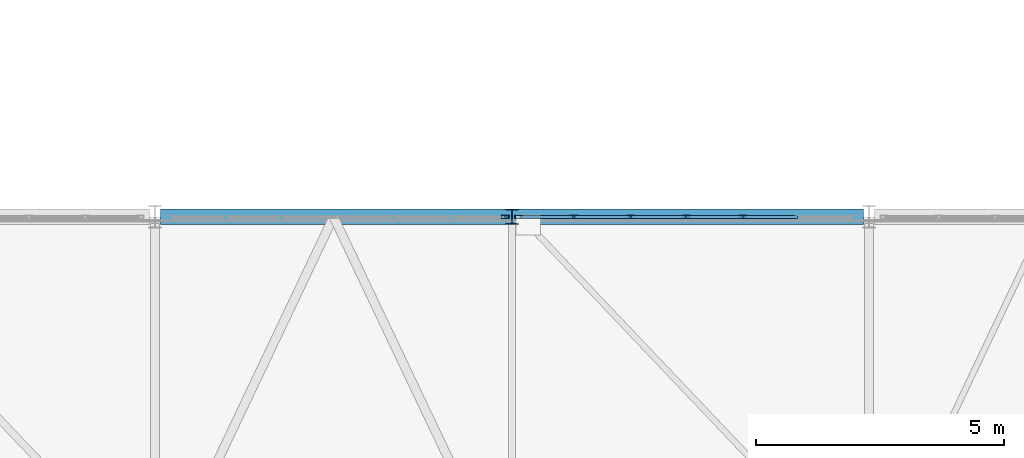
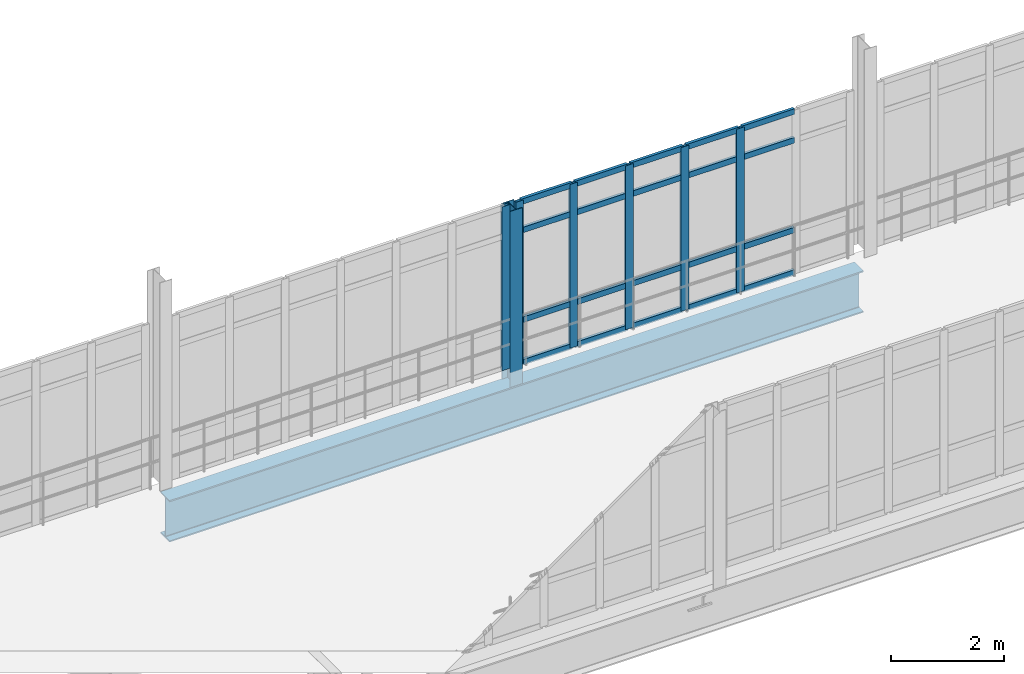
# One storey, part 27 of 124: 27 members, 1 beam, 2 elements without a shape of their own.
"""IFC4 building model written with IfcOpenShell, lengths in metres."""

from ifc_helpers import new_model, si_unit, direction, frame, origin, origin_2d, place, context, subcontext, project, spatial, hollow_rectangle, i_section, extrude, material, material_profile, profile_set, type_object, element, aggregate, save


model = new_model("IFC4")

# Units and contexts
model_context = context("Model", 3, precision=1e-05, world=origin(), true_north=direction((0.0, 1.0)))
body_context = subcontext(model_context, "Body", "Model", "MODEL_VIEW")
ifc_project = project(units=[si_unit("LENGTHUNIT", "METRE"), si_unit("AREAUNIT", "SQUARE_METRE"), si_unit("VOLUMEUNIT", "CUBIC_METRE"), si_unit("PLANEANGLEUNIT", "RADIAN"), si_unit("MASSUNIT", "GRAM", prefix="KILO")], contexts=[model_context])

# Site, building, storey
site_placement = place(None, origin())
site = spatial("IfcSite", under=ifc_project, at=site_placement, CompositionType="ELEMENT")
building_placement = place(site_placement, origin())
building = spatial("IfcBuilding", under=site, at=building_placement, Name="Kalluvel Institute of Natural Sciences", CompositionType="ELEMENT")
storey_placement = place(building_placement, frame((0.0, 0.0, 9.89990234375)))
storey = spatial("IfcBuildingStorey", under=building, at=storey_placement, Name="L02", CompositionType="ELEMENT", Elevation=9.89990234375)

# Beam
ifc_material_1 = material(Name="Steel E350 Grade 350", Category="steel")
ifc_material_profile_1 = material_profile(ifc_material_1, i_section(OverallWidth=0.320068359375, OverallDepth=0.89990234375, WebThickness=0.01611328125, FlangeThickness=0.028076171875, FilletRadius=0.01806640625, at=origin_2d()), Name="WPG 900x320")
ifc_profile_set_1 = profile_set([ifc_material_profile_1], Name="Steel E350 Grade 350")
beam_type = type_object("IfcBeamType", Name="BM-WPG900", PredefinedType="BEAM", material=ifc_profile_set_1)
beam_placement = place(storey_placement, frame((64.510009765625, 35.60009765625, -0.77001953125), z_axis=(1.0, 0.0, 0.0), x_axis=(0.0, 1.0, 0.0)))
element("IfcBeam", 1, at=beam_placement, inside=storey, type_object=beam_type, Name="L02 link bridge main plate-girder chord 30", PredefinedType="BEAM", context=body_context, shape_type="SweptSolid", body=[
    extrude(i_section(OverallWidth=0.320068359375, OverallDepth=0.89990234375, WebThickness=0.01611328125, FlangeThickness=0.028076171875, FilletRadius=0.01806640625, at=origin_2d()), origin(), (0.0, 0.0, 1.0), 14.179931640625),
])

# Curtain wall, member
ifc_material_2 = material(Name="Aluminium AW-6063 T6", Category="aluminium")
curtain_wall_type = type_object("IfcCurtainWallType", Name="CW-BRG-45", PredefinedType="USERDEFINED", material=ifc_material_2)
curtain_wall_1_placement = place(storey_placement, origin())
curtain_wall_1 = element("IfcCurtainWall", 2, at=curtain_wall_1_placement, inside=storey, type_object=curtain_wall_type, Name="L02 Gothic lancet curtain wall CWA-L02-X647-Y356", ObjectType="UNITISED LANCET FACADE", PredefinedType="USERDEFINED")
ifc_material_profile_2 = material_profile(ifc_material_2, hollow_rectangle(XDim=0.06005859375, YDim=0.159912109375, WallThickness=0.00390625, at=origin_2d()), Name="CWM 60x160")
ifc_profile_set_2 = profile_set([ifc_material_profile_2], Name="Aluminium AW-6063 T6")
member_type_1 = type_object("IfcMemberType", Name="CWM-60x160", PredefinedType="MULLION", material=ifc_profile_set_2)
member_1_placement = place(storey_placement, frame((71.4599609375, 35.60009765625, 0.0), z_axis=(0.0, 0.0, 1.0), x_axis=(0.0, 1.0, 0.0)))
member_1 = element("IfcMember", 3, at=member_1_placement, type_object=member_type_1, Name="CW-07 mullion 7", PredefinedType="MULLION", context=body_context, shape_type="SweptSolid", body=[
    extrude(hollow_rectangle(XDim=0.06005859375, YDim=0.159912109375, WallThickness=0.00390625, at=origin_2d()), origin(), (0.0, 0.0, 1.0), 3.5400390625),
])
aggregate(curtain_wall_1, [member_1])

# Curtain wall, members
curtain_wall_2_placement = place(storey_placement, origin())
curtain_wall_2 = element("IfcCurtainWall", 4, at=curtain_wall_2_placement, inside=storey, type_object=curtain_wall_type, Name="L02 Gothic lancet curtain wall CWA-L02-X717-Y356", ObjectType="UNITISED LANCET FACADE", PredefinedType="USERDEFINED")
member_2_placement = place(storey_placement, frame((71.739990234375, 35.60009765625, 0.0), z_axis=(0.0, 0.0, 1.0), x_axis=(0.0, 1.0, 0.0)))
member_2 = element("IfcMember", 5, at=member_2_placement, type_object=member_type_1, Name="CW-07 mullion 1", PredefinedType="MULLION", context=body_context, shape_type="SweptSolid", body=[
    extrude(hollow_rectangle(XDim=0.06005859375, YDim=0.159912109375, WallThickness=0.00390625, at=origin_2d()), origin(), (0.0, 0.0, 1.0), 3.5400390625),
])
member_3_placement = place(storey_placement, frame((72.845947265625, 35.60009765625, 0.0), z_axis=(0.0, 0.0, 1.0), x_axis=(0.0, 1.0, 0.0)))
member_3 = element("IfcMember", 6, at=member_3_placement, type_object=member_type_1, Name="CW-07 mullion 2", PredefinedType="MULLION", context=body_context, shape_type="SweptSolid", body=[
    extrude(hollow_rectangle(XDim=0.06005859375, YDim=0.159912109375, WallThickness=0.00390625, at=origin_2d()), origin(), (0.0, 0.0, 1.0), 3.5400390625),
])
member_4_placement = place(storey_placement, frame((73.981689453125, 35.60009765625, 0.0), z_axis=(0.0, 0.0, 1.0), x_axis=(0.0, 1.0, 0.0)))
member_4 = element("IfcMember", 7, at=member_4_placement, type_object=member_type_1, Name="CW-07 mullion 3", PredefinedType="MULLION", context=body_context, shape_type="SweptSolid", body=[
    extrude(hollow_rectangle(XDim=0.06005859375, YDim=0.159912109375, WallThickness=0.00390625, at=origin_2d()), origin(), (0.0, 0.0, 1.0), 3.5400390625),
])
member_5_placement = place(storey_placement, frame((75.117431640625, 35.60009765625, 0.0), z_axis=(0.0, 0.0, 1.0), x_axis=(0.0, 1.0, 0.0)))
member_5 = element("IfcMember", 8, at=member_5_placement, type_object=member_type_1, Name="CW-07 mullion 4", PredefinedType="MULLION", context=body_context, shape_type="SweptSolid", body=[
    extrude(hollow_rectangle(XDim=0.06005859375, YDim=0.159912109375, WallThickness=0.00390625, at=origin_2d()), origin(), (0.0, 0.0, 1.0), 3.5400390625),
])
member_6_placement = place(storey_placement, frame((76.25341796875, 35.60009765625, 0.0), z_axis=(0.0, 0.0, 1.0), x_axis=(0.0, 1.0, 0.0)))
member_6 = element("IfcMember", 9, at=member_6_placement, type_object=member_type_1, Name="CW-07 mullion 5", PredefinedType="MULLION", context=body_context, shape_type="SweptSolid", body=[
    extrude(hollow_rectangle(XDim=0.06005859375, YDim=0.159912109375, WallThickness=0.00390625, at=origin_2d()), origin(), (0.0, 0.0, 1.0), 3.5400390625),
])
ifc_material_profile_3 = material_profile(ifc_material_2, hollow_rectangle(XDim=0.06005859375, YDim=0.1201171875, WallThickness=0.00390625, at=origin_2d()), Name="CWT 60x120")
ifc_profile_set_3 = profile_set([ifc_material_profile_3], Name="Aluminium AW-6063 T6")
member_type_2 = type_object("IfcMemberType", Name="CWT-60x120", PredefinedType="USERDEFINED", material=ifc_profile_set_3)
member_7_placement = place(storey_placement, frame((71.77001953125, 35.60009765625, 0.030029296875), z_axis=(1.0, 0.0, 0.0), x_axis=(0.0, 1.0, 0.0)))
member_7 = element("IfcMember", 10, at=member_7_placement, type_object=member_type_2, Name="CW-07 transom 1.1", ObjectType="TRANSOM", PredefinedType="USERDEFINED", context=body_context, shape_type="SweptSolid", body=[
    extrude(hollow_rectangle(XDim=0.06005859375, YDim=0.1201171875, WallThickness=0.00390625, at=origin_2d()), origin(), (0.0, 0.0, 1.0), 1.0458984375),
])
member_8_placement = place(storey_placement, frame((71.77001953125, 35.60009765625, 0.9501953125), z_axis=(1.0, 0.0, 0.0), x_axis=(0.0, 1.0, 0.0)))
member_8 = element("IfcMember", 11, at=member_8_placement, type_object=member_type_2, Name="CW-07 transom 1.2", ObjectType="TRANSOM", PredefinedType="USERDEFINED", context=body_context, shape_type="SweptSolid", body=[
    extrude(hollow_rectangle(XDim=0.06005859375, YDim=0.1201171875, WallThickness=0.00390625, at=origin_2d()), origin(), (0.0, 0.0, 1.0), 1.0458984375),
])
member_9_placement = place(storey_placement, frame((71.77001953125, 35.60009765625, 2.89013671875), z_axis=(1.0, 0.0, 0.0), x_axis=(0.0, 1.0, 0.0)))
member_9 = element("IfcMember", 12, at=member_9_placement, type_object=member_type_2, Name="CW-07 transom 1.3", ObjectType="TRANSOM", PredefinedType="USERDEFINED", context=body_context, shape_type="SweptSolid", body=[
    extrude(hollow_rectangle(XDim=0.06005859375, YDim=0.1201171875, WallThickness=0.00390625, at=origin_2d()), origin(), (0.0, 0.0, 1.0), 1.0458984375),
])
member_10_placement = place(storey_placement, frame((71.77001953125, 35.60009765625, 3.510009765625), z_axis=(1.0, 0.0, 0.0), x_axis=(0.0, 1.0, 0.0)))
member_10 = element("IfcMember", 13, at=member_10_placement, type_object=member_type_2, Name="CW-07 transom 1.4", ObjectType="TRANSOM", PredefinedType="USERDEFINED", context=body_context, shape_type="SweptSolid", body=[
    extrude(hollow_rectangle(XDim=0.06005859375, YDim=0.1201171875, WallThickness=0.00390625, at=origin_2d()), origin(), (0.0, 0.0, 1.0), 1.0458984375),
])
member_11_placement = place(storey_placement, frame((72.875732421875, 35.60009765625, 0.030029296875), z_axis=(1.0, 0.0, 0.0), x_axis=(0.0, 1.0, 0.0)))
member_11 = element("IfcMember", 14, at=member_11_placement, type_object=member_type_2, Name="CW-07 transom 2.1", ObjectType="TRANSOM", PredefinedType="USERDEFINED", context=body_context, shape_type="SweptSolid", body=[
    extrude(hollow_rectangle(XDim=0.06005859375, YDim=0.1201171875, WallThickness=0.00390625, at=origin_2d()), origin(), (0.0, 0.0, 1.0), 1.075927734375),
])
member_12_placement = place(storey_placement, frame((72.875732421875, 35.60009765625, 0.9501953125), z_axis=(1.0, 0.0, 0.0), x_axis=(0.0, 1.0, 0.0)))
member_12 = element("IfcMember", 15, at=member_12_placement, type_object=member_type_2, Name="CW-07 transom 2.2", ObjectType="TRANSOM", PredefinedType="USERDEFINED", context=body_context, shape_type="SweptSolid", body=[
    extrude(hollow_rectangle(XDim=0.06005859375, YDim=0.1201171875, WallThickness=0.00390625, at=origin_2d()), origin(), (0.0, 0.0, 1.0), 1.075927734375),
])
member_13_placement = place(storey_placement, frame((72.875732421875, 35.60009765625, 2.89013671875), z_axis=(1.0, 0.0, 0.0), x_axis=(0.0, 1.0, 0.0)))
member_13 = element("IfcMember", 16, at=member_13_placement, type_object=member_type_2, Name="CW-07 transom 2.3", ObjectType="TRANSOM", PredefinedType="USERDEFINED", context=body_context, shape_type="SweptSolid", body=[
    extrude(hollow_rectangle(XDim=0.06005859375, YDim=0.1201171875, WallThickness=0.00390625, at=origin_2d()), origin(), (0.0, 0.0, 1.0), 1.075927734375),
])
member_14_placement = place(storey_placement, frame((72.875732421875, 35.60009765625, 3.510009765625), z_axis=(1.0, 0.0, 0.0), x_axis=(0.0, 1.0, 0.0)))
member_14 = element("IfcMember", 17, at=member_14_placement, type_object=member_type_2, Name="CW-07 transom 2.4", ObjectType="TRANSOM", PredefinedType="USERDEFINED", context=body_context, shape_type="SweptSolid", body=[
    extrude(hollow_rectangle(XDim=0.06005859375, YDim=0.1201171875, WallThickness=0.00390625, at=origin_2d()), origin(), (0.0, 0.0, 1.0), 1.075927734375),
])
member_15_placement = place(storey_placement, frame((74.01171875, 35.60009765625, 0.030029296875), z_axis=(1.0, 0.0, 0.0), x_axis=(0.0, 1.0, 0.0)))
member_15 = element("IfcMember", 18, at=member_15_placement, type_object=member_type_2, Name="CW-07 transom 3.1", ObjectType="TRANSOM", PredefinedType="USERDEFINED", context=body_context, shape_type="SweptSolid", body=[
    extrude(hollow_rectangle(XDim=0.06005859375, YDim=0.1201171875, WallThickness=0.00390625, at=origin_2d()), origin(), (0.0, 0.0, 1.0), 1.07568359375),
])
member_16_placement = place(storey_placement, frame((74.01171875, 35.60009765625, 0.9501953125), z_axis=(1.0, 0.0, 0.0), x_axis=(0.0, 1.0, 0.0)))
member_16 = element("IfcMember", 19, at=member_16_placement, type_object=member_type_2, Name="CW-07 transom 3.2", ObjectType="TRANSOM", PredefinedType="USERDEFINED", context=body_context, shape_type="SweptSolid", body=[
    extrude(hollow_rectangle(XDim=0.06005859375, YDim=0.1201171875, WallThickness=0.00390625, at=origin_2d()), origin(), (0.0, 0.0, 1.0), 1.07568359375),
])
member_17_placement = place(storey_placement, frame((74.01171875, 35.60009765625, 2.89013671875), z_axis=(1.0, 0.0, 0.0), x_axis=(0.0, 1.0, 0.0)))
member_17 = element("IfcMember", 20, at=member_17_placement, type_object=member_type_2, Name="CW-07 transom 3.3", ObjectType="TRANSOM", PredefinedType="USERDEFINED", context=body_context, shape_type="SweptSolid", body=[
    extrude(hollow_rectangle(XDim=0.06005859375, YDim=0.1201171875, WallThickness=0.00390625, at=origin_2d()), origin(), (0.0, 0.0, 1.0), 1.07568359375),
])
member_18_placement = place(storey_placement, frame((74.01171875, 35.60009765625, 3.510009765625), z_axis=(1.0, 0.0, 0.0), x_axis=(0.0, 1.0, 0.0)))
member_18 = element("IfcMember", 21, at=member_18_placement, type_object=member_type_2, Name="CW-07 transom 3.4", ObjectType="TRANSOM", PredefinedType="USERDEFINED", context=body_context, shape_type="SweptSolid", body=[
    extrude(hollow_rectangle(XDim=0.06005859375, YDim=0.1201171875, WallThickness=0.00390625, at=origin_2d()), origin(), (0.0, 0.0, 1.0), 1.07568359375),
])
member_19_placement = place(storey_placement, frame((75.1474609375, 35.60009765625, 0.030029296875), z_axis=(1.0, 0.0, 0.0), x_axis=(0.0, 1.0, 0.0)))
member_19 = element("IfcMember", 22, at=member_19_placement, type_object=member_type_2, Name="CW-07 transom 4.1", ObjectType="TRANSOM", PredefinedType="USERDEFINED", context=body_context, shape_type="SweptSolid", body=[
    extrude(hollow_rectangle(XDim=0.06005859375, YDim=0.1201171875, WallThickness=0.00390625, at=origin_2d()), origin(), (0.0, 0.0, 1.0), 1.075927734375),
])
member_20_placement = place(storey_placement, frame((75.1474609375, 35.60009765625, 0.9501953125), z_axis=(1.0, 0.0, 0.0), x_axis=(0.0, 1.0, 0.0)))
member_20 = element("IfcMember", 23, at=member_20_placement, type_object=member_type_2, Name="CW-07 transom 4.2", ObjectType="TRANSOM", PredefinedType="USERDEFINED", context=body_context, shape_type="SweptSolid", body=[
    extrude(hollow_rectangle(XDim=0.06005859375, YDim=0.1201171875, WallThickness=0.00390625, at=origin_2d()), origin(), (0.0, 0.0, 1.0), 1.075927734375),
])
member_21_placement = place(storey_placement, frame((75.1474609375, 35.60009765625, 2.89013671875), z_axis=(1.0, 0.0, 0.0), x_axis=(0.0, 1.0, 0.0)))
member_21 = element("IfcMember", 24, at=member_21_placement, type_object=member_type_2, Name="CW-07 transom 4.3", ObjectType="TRANSOM", PredefinedType="USERDEFINED", context=body_context, shape_type="SweptSolid", body=[
    extrude(hollow_rectangle(XDim=0.06005859375, YDim=0.1201171875, WallThickness=0.00390625, at=origin_2d()), origin(), (0.0, 0.0, 1.0), 1.075927734375),
])
member_22_placement = place(storey_placement, frame((75.1474609375, 35.60009765625, 3.510009765625), z_axis=(1.0, 0.0, 0.0), x_axis=(0.0, 1.0, 0.0)))
member_22 = element("IfcMember", 25, at=member_22_placement, type_object=member_type_2, Name="CW-07 transom 4.4", ObjectType="TRANSOM", PredefinedType="USERDEFINED", context=body_context, shape_type="SweptSolid", body=[
    extrude(hollow_rectangle(XDim=0.06005859375, YDim=0.1201171875, WallThickness=0.00390625, at=origin_2d()), origin(), (0.0, 0.0, 1.0), 1.075927734375),
])
member_23_placement = place(storey_placement, frame((76.283447265625, 35.60009765625, 0.030029296875), z_axis=(1.0, 0.0, 0.0), x_axis=(0.0, 1.0, 0.0)))
member_23 = element("IfcMember", 26, at=member_23_placement, type_object=member_type_2, Name="CW-07 transom 5.1", ObjectType="TRANSOM", PredefinedType="USERDEFINED", context=body_context, shape_type="SweptSolid", body=[
    extrude(hollow_rectangle(XDim=0.06005859375, YDim=0.1201171875, WallThickness=0.00390625, at=origin_2d()), origin(), (0.0, 0.0, 1.0), 1.07568359375),
])
member_24_placement = place(storey_placement, frame((76.283447265625, 35.60009765625, 0.9501953125), z_axis=(1.0, 0.0, 0.0), x_axis=(0.0, 1.0, 0.0)))
member_24 = element("IfcMember", 27, at=member_24_placement, type_object=member_type_2, Name="CW-07 transom 5.2", ObjectType="TRANSOM", PredefinedType="USERDEFINED", context=body_context, shape_type="SweptSolid", body=[
    extrude(hollow_rectangle(XDim=0.06005859375, YDim=0.1201171875, WallThickness=0.00390625, at=origin_2d()), origin(), (0.0, 0.0, 1.0), 1.07568359375),
])
member_25_placement = place(storey_placement, frame((76.283447265625, 35.60009765625, 2.89013671875), z_axis=(1.0, 0.0, 0.0), x_axis=(0.0, 1.0, 0.0)))
member_25 = element("IfcMember", 28, at=member_25_placement, type_object=member_type_2, Name="CW-07 transom 5.3", ObjectType="TRANSOM", PredefinedType="USERDEFINED", context=body_context, shape_type="SweptSolid", body=[
    extrude(hollow_rectangle(XDim=0.06005859375, YDim=0.1201171875, WallThickness=0.00390625, at=origin_2d()), origin(), (0.0, 0.0, 1.0), 1.07568359375),
])
member_26_placement = place(storey_placement, frame((76.283447265625, 35.60009765625, 3.510009765625), z_axis=(1.0, 0.0, 0.0), x_axis=(0.0, 1.0, 0.0)))
member_26 = element("IfcMember", 29, at=member_26_placement, type_object=member_type_2, Name="CW-07 transom 5.4", ObjectType="TRANSOM", PredefinedType="USERDEFINED", context=body_context, shape_type="SweptSolid", body=[
    extrude(hollow_rectangle(XDim=0.06005859375, YDim=0.1201171875, WallThickness=0.00390625, at=origin_2d()), origin(), (0.0, 0.0, 1.0), 1.07568359375),
])
aggregate(curtain_wall_2, [member_2, member_3, member_4, member_5, member_6, member_7, member_8, member_9, member_10, member_11, member_12, member_13, member_14, member_15, member_16, member_17, member_18, member_19, member_20, member_21, member_22, member_23, member_24, member_25, member_26])

# Member
ifc_material_profile_4 = material_profile(ifc_material_1, i_section(OverallWidth=0.25, OverallDepth=0.300048828125, WebThickness=0.009521484375, FlangeThickness=0.010498046875, FilletRadius=0.011962890625, at=origin_2d()), Name="ISHB 300")
ifc_profile_set_4 = profile_set([ifc_material_profile_4], Name="Steel E350 Grade 350")
member_type_3 = type_object("IfcMemberType", Name="MB-ST-ISHB300", PredefinedType="STRUT", material=ifc_profile_set_4)
member_27_placement = place(storey_placement, frame((71.60009765625, 35.60009765625, -0.31982421875), z_axis=(0.0, 0.0, 1.0), x_axis=(1.0, 0.0, 0.0)))
element("IfcMember", 30, at=member_27_placement, inside=storey, type_object=member_type_3, Name="Glazed link bridge truss post 45", PredefinedType="STRUT", context=body_context, shape_type="SweptSolid", body=[
    extrude(i_section(OverallWidth=0.25, OverallDepth=0.300048828125, WebThickness=0.009521484375, FlangeThickness=0.010498046875, FilletRadius=0.011962890625, at=origin_2d()), origin(), (0.0, 0.0, 1.0), 3.7998046875),
])

save(model, "model.ifc")
